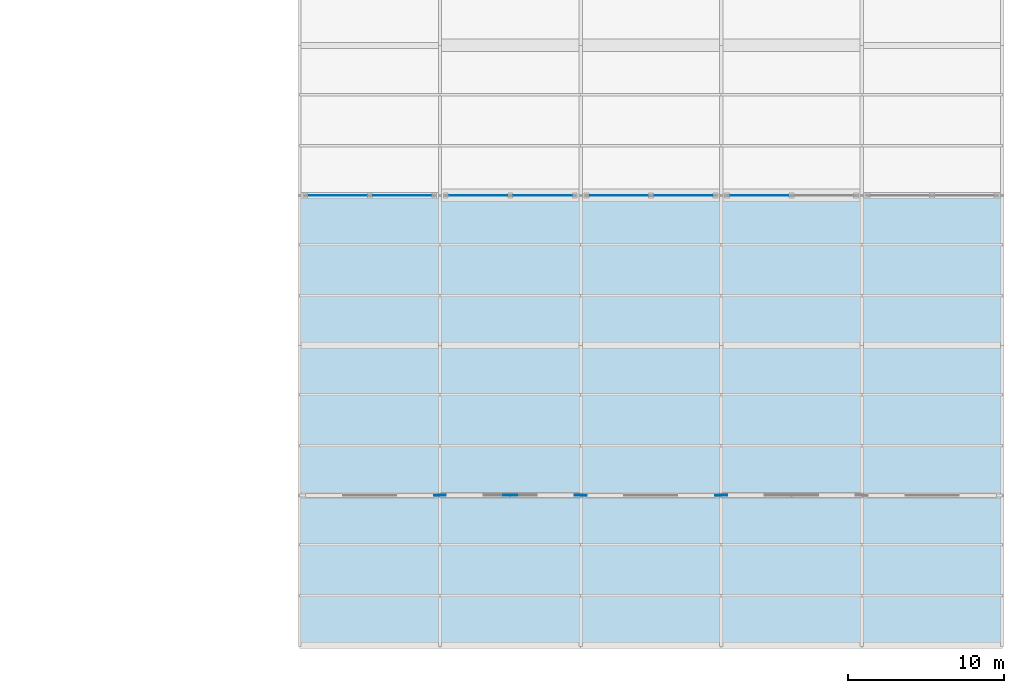
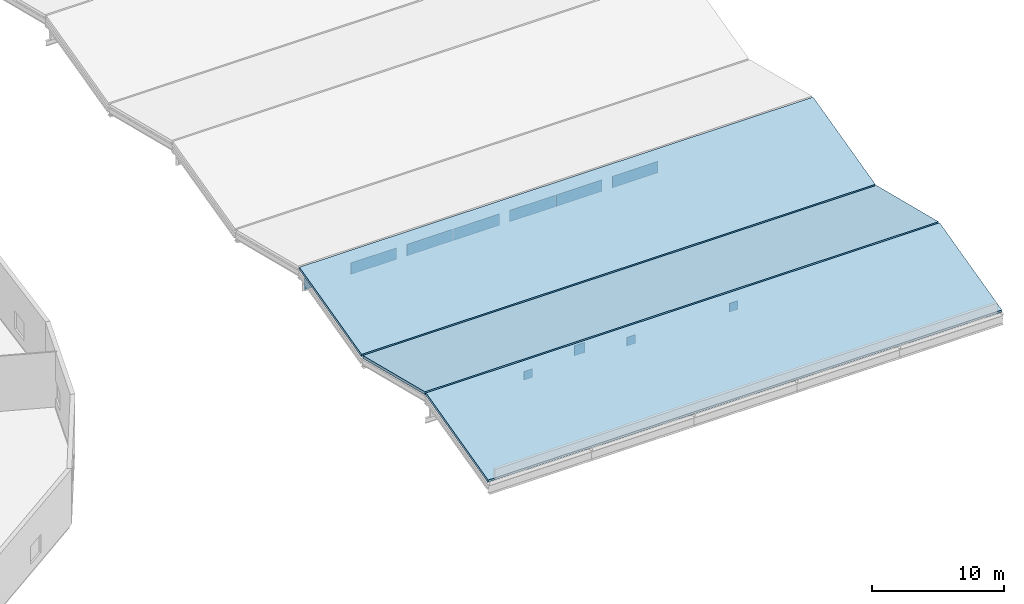
# One storey, part 20 of 36: 11 plates, 3 slabs, 4 elements without a shape of their own.
"""IFC4 building model written with IfcOpenShell, lengths in metres."""

from ifc_helpers import new_model, si_unit, direction, frame, origin, origin_2d, place, context, subcontext, project, spatial, polyline, rectangle, outline, extrude, material, layer, layer_set, type_object, element, aggregate, save


model = new_model("IFC4")

# Units and contexts
model_context = context("Model", 3, precision=1e-05, world=origin(), true_north=direction((0.0, 1.0)))
body_context = subcontext(model_context, "Body", "Model", "MODEL_VIEW")
ifc_project = project(units=[si_unit("LENGTHUNIT", "METRE"), si_unit("AREAUNIT", "SQUARE_METRE"), si_unit("VOLUMEUNIT", "CUBIC_METRE"), si_unit("PLANEANGLEUNIT", "RADIAN"), si_unit("MASSUNIT", "GRAM", prefix="KILO")], contexts=[model_context])

# Site, building, storey
site_placement = place(None, origin())
site = spatial("IfcSite", under=ifc_project, at=site_placement, CompositionType="ELEMENT")
building_placement = place(site_placement, origin())
building = spatial("IfcBuilding", under=site, at=building_placement, Name="Qorvath Tower", CompositionType="ELEMENT")
storey_placement = place(building_placement, frame((0.0, 0.0, 27.0)))
storey = spatial("IfcBuildingStorey", under=building, at=storey_placement, Name="L05", CompositionType="ELEMENT", Elevation=27.0)

# Curtain wall, plates
ifc_material_1 = material(Name="Anodised aluminium and triple low-E glass", Category="aluminium")
ifc_layer_1 = layer(ifc_material_1, 0.179931640625)
ifc_layer_set_1 = layer_set([ifc_layer_1], Name="CW-SYS-7")
curtain_wall_type = type_object("IfcCurtainWallType", Name="CW-SYS-7", PredefinedType="NOTDEFINED", material=ifc_layer_set_1)
curtain_wall_1_placement = place(storey_placement, origin())
curtain_wall_1 = element("IfcCurtainWall", 1, at=curtain_wall_1_placement, inside=storey, type_object=curtain_wall_type, Name="Curtain Wall CW-7 CW-LIB-SKY-2-1", PredefinedType="NOTDEFINED")
ifc_material_2 = material(Name="Low-E triple insulated glass", Category="glass")
ifc_layer_2 = layer(ifc_material_2, 0.031982421875)
ifc_layer_set_2 = layer_set([ifc_layer_2], Name="CWP-GLZ-32")
plate_type_1 = type_object("IfcPlateType", Name="CWP-GLZ-32", PredefinedType="CURTAIN_PANEL", material=ifc_layer_set_2)
plate_1_placement = place(storey_placement, frame((34.85498046875, -9.60009765625, 0.06494140625), z_axis=(0.0, 0.0, 1.0), x_axis=(1.0, 0.0, 0.0)))
plate_1 = element("IfcPlate", 2, at=plate_1_placement, type_object=plate_type_1, Name="CW-7 panel 1.1", PredefinedType="CURTAIN_PANEL", context=body_context, shape_type="SweptSolid", body=[
    extrude(rectangle(XDim=4.010009765625, YDim=0.031982421875, at=origin_2d()), origin(), (0.0, 0.0, 1.0), 1.070068359375),
])
plate_2_placement = place(storey_placement, frame((38.945068359375, -9.60009765625, 0.06494140625), z_axis=(0.0, 0.0, 1.0), x_axis=(1.0, 0.0, 0.0)))
plate_2 = element("IfcPlate", 3, at=plate_2_placement, type_object=plate_type_1, Name="CW-7 panel 2.1", PredefinedType="CURTAIN_PANEL", context=body_context, shape_type="SweptSolid", body=[
    extrude(rectangle(XDim=4.010009765625, YDim=0.031982421875, at=origin_2d()), origin(), (0.0, 0.0, 1.0), 1.070068359375),
])
aggregate(curtain_wall_1, [plate_1, plate_2])

curtain_wall_2_placement = place(storey_placement, origin())
curtain_wall_2 = element("IfcCurtainWall", 4, at=curtain_wall_2_placement, inside=storey, type_object=curtain_wall_type, Name="Curtain Wall CW-7 CW-LIB-SKY-2-2", PredefinedType="NOTDEFINED")
plate_3_placement = place(storey_placement, frame((43.85498046875, -9.60009765625, 0.06494140625), z_axis=(0.0, 0.0, 1.0), x_axis=(1.0, 0.0, 0.0)))
plate_3 = element("IfcPlate", 5, at=plate_3_placement, type_object=plate_type_1, Name="CW-7 panel 1.1", PredefinedType="CURTAIN_PANEL", context=body_context, shape_type="SweptSolid", body=[
    extrude(rectangle(XDim=4.010009765625, YDim=0.031982421875, at=origin_2d()), origin(), (0.0, 0.0, 1.0), 1.070068359375),
])
plate_4_placement = place(storey_placement, frame((47.945068359375, -9.60009765625, 0.06494140625), z_axis=(0.0, 0.0, 1.0), x_axis=(1.0, 0.0, 0.0)))
plate_4 = element("IfcPlate", 6, at=plate_4_placement, type_object=plate_type_1, Name="CW-7 panel 2.1", PredefinedType="CURTAIN_PANEL", context=body_context, shape_type="SweptSolid", body=[
    extrude(rectangle(XDim=4.010009765625, YDim=0.031982421875, at=origin_2d()), origin(), (0.0, 0.0, 1.0), 1.070068359375),
])
aggregate(curtain_wall_2, [plate_3, plate_4])

curtain_wall_3_placement = place(storey_placement, origin())
curtain_wall_3 = element("IfcCurtainWall", 7, at=curtain_wall_3_placement, inside=storey, type_object=curtain_wall_type, Name="Curtain Wall CW-7 CW-LIB-SKY-2-3", PredefinedType="NOTDEFINED")
plate_5_placement = place(storey_placement, frame((52.85498046875, -9.60009765625, 0.06494140625), z_axis=(0.0, 0.0, 1.0), x_axis=(1.0, 0.0, 0.0)))
plate_5 = element("IfcPlate", 8, at=plate_5_placement, type_object=plate_type_1, Name="CW-7 panel 1.1", PredefinedType="CURTAIN_PANEL", context=body_context, shape_type="SweptSolid", body=[
    extrude(rectangle(XDim=4.010009765625, YDim=0.031982421875, at=origin_2d()), origin(), (0.0, 0.0, 1.0), 1.070068359375),
])
plate_6_placement = place(storey_placement, frame((56.945068359375, -9.60009765625, 0.06494140625), z_axis=(0.0, 0.0, 1.0), x_axis=(1.0, 0.0, 0.0)))
plate_6 = element("IfcPlate", 9, at=plate_6_placement, type_object=plate_type_1, Name="CW-7 panel 2.1", PredefinedType="CURTAIN_PANEL", context=body_context, shape_type="SweptSolid", body=[
    extrude(rectangle(XDim=4.010009765625, YDim=0.031982421875, at=origin_2d()), origin(), (0.0, 0.0, 1.0), 1.070068359375),
])
aggregate(curtain_wall_3, [plate_5, plate_6])

# Curtain wall, plate
curtain_wall_4_placement = place(storey_placement, origin())
curtain_wall_4 = element("IfcCurtainWall", 10, at=curtain_wall_4_placement, inside=storey, type_object=curtain_wall_type, Name="Curtain Wall CW-7 CW-LIB-SKY-2-4", PredefinedType="NOTDEFINED")
plate_7_placement = place(storey_placement, frame((61.85498046875, -9.60009765625, 0.06494140625), z_axis=(0.0, 0.0, 1.0), x_axis=(1.0, 0.0, 0.0)))
plate_7 = element("IfcPlate", 11, at=plate_7_placement, type_object=plate_type_1, Name="CW-7 panel 1.1", PredefinedType="CURTAIN_PANEL", context=body_context, shape_type="SweptSolid", body=[
    extrude(rectangle(XDim=4.010009765625, YDim=0.031982421875, at=origin_2d()), origin(), (0.0, 0.0, 1.0), 1.070068359375),
])
aggregate(curtain_wall_4, [plate_7])

# Plates
ifc_material_3 = material(Name="Steel ASTM A572 Grade 50", Category="steel")
ifc_layer_3 = layer(ifc_material_3, 0.044921875)
ifc_layer_set_3 = layer_set([ifc_layer_3], Name="PL-LFN1")
plate_type_2 = type_object("IfcPlateType", Name="PL-LFN1", PredefinedType="USERDEFINED", material=ifc_layer_set_3)
plate_8_placement = place(storey_placement, frame((45.89990234375, -28.800048828125, 1.1884765625), z_axis=(0.0, 0.0, 1.0), x_axis=(1.0, 0.0, 0.0)))
element("IfcPlate", 12, at=plate_8_placement, inside=storey, type_object=plate_type_2, Name="Library Roof Truss Node Gusset 2-1", ObjectType="GUSSET", PredefinedType="USERDEFINED", context=body_context, shape_type="SweptSolid", body=[
    extrude(rectangle(XDim=0.89990234375, YDim=0.044921875, at=origin_2d()), origin(), (0.0, 0.0, 1.0), 0.949951171875),
])
for number, where, z_axis, x_axis, name in (
    (13, (41.39990234375, -28.800048828125, 0.49365234375), (0.0, 0.0, 1.0), (1.0, 0.0, 0.0), "Brace Strut End Gusset Plate NDBG-152"),
    (14, (50.39990234375, -28.800048828125, 0.49365234375), (0.0, 0.0, 1.0), (1.0, 0.0, 0.0), "Brace Strut End Gusset Plate NDBG-153"),
    (15, (59.39990234375, -28.800048828125, 0.49365234375), (0.0, 0.0, 1.0), (1.0, 0.0, 0.0), "Brace Strut End Gusset Plate NDBG-154"),
):
    element("IfcPlate", number, at=place(storey_placement, frame(where, z_axis=z_axis, x_axis=x_axis)), inside=storey, type_object=plate_type_2, Name=name, ObjectType="GUSSET", PredefinedType="USERDEFINED", context=body_context, shape_type="SweptSolid", body=[
        extrude(rectangle(XDim=0.75, YDim=0.044921875, at=origin_2d()), origin(), (0.0, 0.0, 1.0), 0.800048828125),
    ])

# Slabs
ifc_material_4 = material(Name="Concrete C45/55", Category="concrete")
ifc_layer_4 = layer(ifc_material_4, 0.25)
ifc_layer_set_4 = layer_set([ifc_layer_4], Name="SL-LIB-RF-250")
slab_type = type_object("IfcSlabType", Name="SL-LIB-RF-250", PredefinedType="ROOF", material=ifc_layer_set_4)
slab_1_placement = place(storey_placement, frame((32.39990234375, -38.320068359375, 0.02001953125), z_axis=(0.0, -0.241903801416, 0.970300237484), x_axis=(1.0, 0.0, 0.0)))
element("IfcSlab", 16, at=slab_1_placement, inside=storey, type_object=slab_type, Name="Library Folded-Plate Roof Facet 1", PredefinedType="ROOF", context=body_context, shape_type="SweptSolid", body=[
    extrude(outline(polyline([(0.0, 0.0), (45.0, 0.0), (45.0, 9.729138654400337), (0.0, 9.729138654400337), (0.0, 0.0)])), origin(), (0.0, 0.0, -1.0), 0.25),
])
slab_2_placement = place(storey_placement, frame((32.39990234375, -28.719970703125, 2.37353515625), z_axis=(0.0, 0.241909691544, 0.970298769007), x_axis=(1.0, 0.0, 0.0)))
element("IfcSlab", 17, at=slab_2_placement, inside=storey, type_object=slab_type, Name="Library Folded-Plate Roof Facet 2", PredefinedType="ROOF", context=body_context, shape_type="SweptSolid", body=[
    extrude(outline(polyline([(0.0, 0.0), (45.0, 0.0), (45.0, 9.728901764873175), (0.0, 9.728901764873175), (0.0, 0.0)])), origin(), (0.0, 0.0, -1.0), 0.25),
])
slab_3_placement = place(storey_placement, frame((32.39990234375, -19.1201171875, 0.02001953125), z_axis=(0.0, -0.241903801416, 0.970300237484), x_axis=(1.0, 0.0, 0.0)))
element("IfcSlab", 18, at=slab_3_placement, inside=storey, type_object=slab_type, Name="Library Folded-Plate Roof Facet 3", PredefinedType="ROOF", context=body_context, shape_type="SweptSolid", body=[
    extrude(outline(polyline([(0.0, 0.0), (45.0, 0.0), (45.0, 9.729138654400337), (0.0, 9.729138654400337), (0.0, 0.0)])), origin(), (0.0, 0.0, -1.0), 0.25),
])

save(model, "model.ifc")
